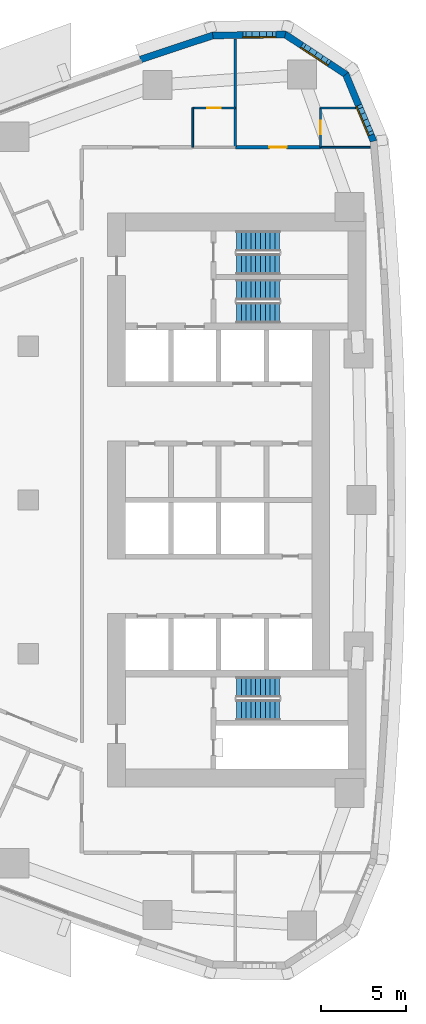
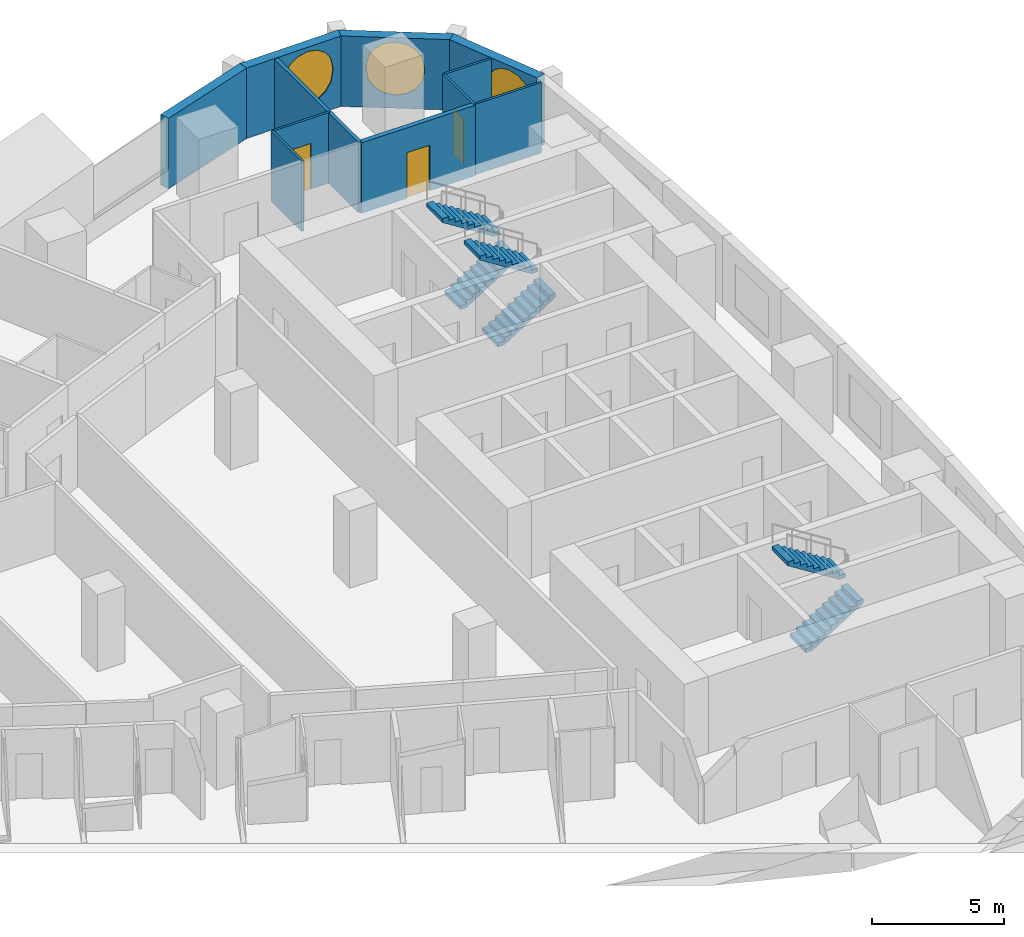
# One storey, part 13 of 17: 11 walls, 6 stair flights, 3 doors, 3 windows, 6 openings, 3 elements without a shape of their own.
"""IFC4 building model written with IfcOpenShell, lengths in metres."""

from ifc_helpers import new_model, si_unit, direction, frame, frame_2d, origin, place, context, subcontext, project, spatial, polyline, rectangle, outline, extrude, material, layer, layer_set, type_object, element, fill, aggregate, save


model = new_model("IFC4")

# Units and contexts
model_context = context("Model", 3, precision=1e-05, world=origin(), true_north=direction((0.0, 1.0)))
body_context = subcontext(model_context, "Body", "Model", "MODEL_VIEW")
ifc_project = project(units=[si_unit("LENGTHUNIT", "METRE"), si_unit("AREAUNIT", "SQUARE_METRE"), si_unit("VOLUMEUNIT", "CUBIC_METRE"), si_unit("PLANEANGLEUNIT", "RADIAN"), si_unit("MASSUNIT", "GRAM", prefix="KILO")], contexts=[model_context])

# Site, building, storey
site_placement = place(None, origin())
site = spatial("IfcSite", under=ifc_project, at=site_placement, CompositionType="ELEMENT")
building_placement = place(site_placement, origin())
building = spatial("IfcBuilding", under=site, at=building_placement, Name="Ostrand Prow Hotel Tower", CompositionType="ELEMENT")
storey_placement = place(building_placement, frame((0.0, 0.0, 106.199951171875)))
storey = spatial("IfcBuildingStorey", under=building, at=storey_placement, Name="L25", CompositionType="ELEMENT", Elevation=106.199951171875)

# Wall
ifc_material_1 = material(Name="Plasterboard partition")
ifc_layer_1 = layer(ifc_material_1, 0.10009765625)
ifc_layer_set_1 = layer_set([ifc_layer_1], Name="Plasterboard partition")
wall_type_1 = type_object("IfcWallType", Name="Partition 100 bathroom wall", PredefinedType="PARTITIONING", material=ifc_layer_set_1)
wall_1_placement = place(storey_placement, frame((54.630615234375, 20.64990234375, 0.0), z_axis=(0.0, 0.0, 1.0), x_axis=(0.0, 1.0, 0.0)))
element("IfcWall", 1, at=wall_1_placement, inside=storey, type_object=wall_type_1, Name="BATHROOM WALL", PredefinedType="PARTITIONING", context=body_context, shape_type="SweptSolid", body=[
    extrude(rectangle(XDim=2.300048828125, YDim=0.10009765625, at=frame_2d((1.14990234375, 0.0))), origin(), (0.0, 0.0, 1.0), 3.25),
])

# Wall, opening, door
wall_2_placement = place(storey_placement, frame((54.630615234375, 22.949951171875, 0.0), z_axis=(0.0, 0.0, 1.0), x_axis=(1.0, 0.0, 0.0)))
wall_2 = element("IfcWall", 2, at=wall_2_placement, inside=storey, type_object=wall_type_1, Name="BATHROOM WALL", PredefinedType="PARTITIONING", context=body_context, shape_type="SweptSolid", body=[
    extrude(rectangle(XDim=2.5, YDim=0.10009765625, at=frame_2d((1.25, 0.0))), origin(), (0.0, 0.0, 1.0), 3.25),
])
opening_1_placement = place(wall_2_placement, frame((0.85009765625, 0.0, 0.0)))
opening_1 = element("IfcOpeningElement", 3, at=opening_1_placement, cuts=wall_2, Name="Opening D2", PredefinedType="OPENING", context=body_context, shape_type="SweptSolid", body=[
    extrude(rectangle(XDim=0.800048828125, YDim=2.10009765625, at=frame_2d((0.39990234375, 1.050048828125))), frame((0.0, 0.06005859375, 0.0), z_axis=(0.0, -1.0, 0.0), x_axis=(1.0, 0.0, 0.0)), (0.0, 0.0, 1.0), 0.1201171875),
])
ifc_material_2 = material(Name="Timber door leaf", Category="wood")
door_type_1 = type_object("IfcDoorType", Name="Bathroom door 800", OperationType="SINGLE_SWING_LEFT", PredefinedType="DOOR", material=ifc_material_2)
door_1_placement = place(opening_1_placement, origin())
door_1 = element("IfcDoor", 4, at=door_1_placement, inside=storey, type_object=door_type_1, Name="DOOR", OperationType="SINGLE_SWING_LEFT", OverallHeight=2.10009765625, OverallWidth=0.800048828125, PredefinedType="DOOR", context=body_context, shape_type="SweptSolid", body=[
    extrude(rectangle(XDim=0.800048828125, YDim=2.10009765625, at=frame_2d((0.39990234375, 1.050048828125))), frame((0.0, 0.02490234375, 0.0), z_axis=(0.0, -1.0, 0.0), x_axis=(1.0, 0.0, 0.0)), (0.0, 0.0, 1.0), 0.050048828125),
])
fill(opening_1, door_1)

wall_3_placement = place(storey_placement, frame((62.111083984375, 20.64990234375, 0.0), z_axis=(0.0, 0.0, 1.0), x_axis=(0.0, 1.0, 0.0)))
wall_3 = element("IfcWall", 5, at=wall_3_placement, inside=storey, type_object=wall_type_1, Name="BATHROOM WALL", PredefinedType="PARTITIONING", context=body_context, shape_type="SweptSolid", body=[
    extrude(rectangle(XDim=2.300048828125, YDim=0.10009765625, at=frame_2d((1.14990234375, 0.0))), origin(), (0.0, 0.0, 1.0), 3.25),
])
opening_2_placement = place(wall_3_placement, frame((0.75, 0.0, 0.0)))
opening_2 = element("IfcOpeningElement", 6, at=opening_2_placement, cuts=wall_3, Name="Opening D2", PredefinedType="OPENING", context=body_context, shape_type="SweptSolid", body=[
    extrude(rectangle(XDim=0.800048828125, YDim=2.10009765625, at=frame_2d((0.39990234375, 1.050048828125))), frame((0.0, 0.06005859375, 0.0), z_axis=(0.0, -1.0, 0.0), x_axis=(1.0, 0.0, 0.0)), (0.0, 0.0, 1.0), 0.1201171875),
])
door_2_placement = place(opening_2_placement, origin())
door_2 = element("IfcDoor", 7, at=door_2_placement, inside=storey, type_object=door_type_1, Name="DOOR", OperationType="SINGLE_SWING_LEFT", OverallHeight=2.10009765625, OverallWidth=0.800048828125, PredefinedType="DOOR", context=body_context, shape_type="SweptSolid", body=[
    extrude(rectangle(XDim=0.800048828125, YDim=2.10009765625, at=frame_2d((0.39990234375, 1.050048828125))), frame((0.0, 0.02490234375, 0.0), z_axis=(0.0, -1.0, 0.0), x_axis=(1.0, 0.0, 0.0)), (0.0, 0.0, 1.0), 0.050048828125),
])
fill(opening_2, door_2)

# Walls
wall_4_placement = place(storey_placement, frame((62.111083984375, 22.949951171875, 0.0), z_axis=(0.0, 0.0, 1.0), x_axis=(1.0, 0.0, 0.0)))
element("IfcWall", 8, at=wall_4_placement, inside=storey, type_object=wall_type_1, Name="BATHROOM WALL", PredefinedType="PARTITIONING", context=body_context, shape_type="SweptSolid", body=[
    extrude(rectangle(XDim=2.04931640625, YDim=0.10009765625, at=frame_2d((1.024658203125, 0.0))), origin(), (0.0, 0.0, 1.0), 3.25),
])
wall_5_placement = place(storey_placement, frame((65.016845703125, 20.655029296875, 0.0), z_axis=(0.0, 0.0, 1.0), x_axis=(-1.0, 0.0, 0.0)))
element("IfcWall", 9, at=wall_5_placement, inside=storey, type_object=wall_type_1, Name="BATHROOM WALL", PredefinedType="PARTITIONING", context=body_context, shape_type="SweptSolid", body=[
    extrude(rectangle(XDim=2.90576171875, YDim=0.10009765625, at=frame_2d((1.452880859375, 0.0))), origin(), (0.0, 0.0, 1.0), 3.25),
])
ifc_material_3 = material(Name="Plasterboard partition")
ifc_layer_2 = layer(ifc_material_3, 0.14990234375)
ifc_layer_set_2 = layer_set([ifc_layer_2], Name="Plasterboard partition")
wall_type_2 = type_object("IfcWallType", Name="Partition 150 room partition", PredefinedType="PARTITIONING", material=ifc_layer_set_2)
wall_6_placement = place(storey_placement, frame((57.130615234375, 20.64990234375, 0.0), z_axis=(0.0, 0.0, 1.0), x_axis=(0.0, 1.0, 0.0)))
element("IfcWall", 10, at=wall_6_placement, inside=storey, type_object=wall_type_2, Name="ROOM PARTITION", PredefinedType="PARTITIONING", context=body_context, shape_type="SweptSolid", body=[
    extrude(rectangle(XDim=6.3291015625, YDim=0.14990234375, at=frame_2d((3.16455078125, 0.0))), origin(), (0.0, 0.0, 1.0), 3.25),
])

# Wall, opening, door
ifc_material_4 = material(Name="Plasterboard partition")
ifc_layer_3 = layer(ifc_material_4, 0.199951171875)
ifc_layer_set_3 = layer_set([ifc_layer_3], Name="Plasterboard partition")
wall_type_3 = type_object("IfcWallType", Name="Partition 200 corridor wall", PredefinedType="PARTITIONING", material=ifc_layer_set_3)
wall_7_placement = place(storey_placement, frame((62.106201171875, 20.655029296875, 0.0), z_axis=(0.0, 0.0, 1.0), x_axis=(-1.0, 0.0, 0.0)))
wall_7 = element("IfcWall", 11, at=wall_7_placement, inside=storey, type_object=wall_type_3, Name="CORRIDOR WALL", PredefinedType="PARTITIONING", context=body_context, shape_type="SweptSolid", body=[
    extrude(rectangle(XDim=4.970703125, YDim=0.199951171875, at=frame_2d((2.4853515625, 0.0))), origin(), (0.0, 0.0, 1.0), 3.25),
])
opening_3_placement = place(wall_7_placement, frame((1.9853515625, 0.0, 0.0)))
opening_3 = element("IfcOpeningElement", 12, at=opening_3_placement, cuts=wall_7, Name="Opening D1R", PredefinedType="OPENING", context=body_context, shape_type="SweptSolid", body=[
    extrude(rectangle(XDim=1.0, YDim=2.10009765625, at=frame_2d((0.5, 1.050048828125))), frame((0.0, 0.10986328125, 0.0), z_axis=(0.0, -1.0, 0.0), x_axis=(1.0, 0.0, 0.0)), (0.0, 0.0, 1.0), 0.219970703125),
])
ifc_material_5 = material(Name="Timber door leaf", Category="wood")
door_type_2 = type_object("IfcDoorType", Name="Guest room door 1000 right", OperationType="SINGLE_SWING_RIGHT", PredefinedType="DOOR", material=ifc_material_5)
door_3_placement = place(opening_3_placement, origin())
door_3 = element("IfcDoor", 13, at=door_3_placement, inside=storey, type_object=door_type_2, Name="DOOR", OperationType="SINGLE_SWING_RIGHT", OverallHeight=2.10009765625, OverallWidth=1.0, PredefinedType="DOOR", context=body_context, shape_type="SweptSolid", body=[
    extrude(rectangle(XDim=1.0, YDim=2.10009765625, at=frame_2d((0.5, 1.050048828125))), frame((0.0, 0.02490234375, 0.0), z_axis=(0.0, -1.0, 0.0), x_axis=(1.0, 0.0, 0.0)), (0.0, 0.0, 1.0), 0.050048828125),
])
fill(opening_3, door_3)

# Wall, opening, window
ifc_material_6 = material(Name="Precast concrete C40/50", Category="concrete")
ifc_layer_4 = layer(ifc_material_6, 0.39990234375)
ifc_layer_set_4 = layer_set([ifc_layer_4], Name="Precast concrete C40/50")
wall_type_4 = type_object("IfcWallType", Name="Stone-faced precast wall 400 mm", PredefinedType="NOTDEFINED", material=ifc_layer_set_4)
wall_8_placement = place(storey_placement, frame((65.21728515625, 21.001708984375, 0.0), z_axis=(0.0, 0.0, 1.0), x_axis=(-0.383997751971, 0.923334027577, 0.0)))
wall_8 = element("IfcWall", 14, at=wall_8_placement, inside=storey, type_object=wall_type_4, Name="Stone-faced wall back 15", PredefinedType="NOTDEFINED", context=body_context, shape_type="SweptSolid", body=[
    extrude(outline(polyline([(-0.031005859375, -0.199951171875), (4.300048828125, -0.199951171875), (4.177490234375, 0.199951171875), (0.031005859375, 0.199951171875), (-0.031005859375, -0.199951171875)])), origin(), (0.0, 0.0, 1.0), 3.25),
])
opening_4_placement = place(wall_8_placement, frame((0.28662109375, 0.0, 0.60009765625)))
opening_4 = element("IfcOpeningElement", 15, at=opening_4_placement, cuts=wall_8, Name="Opening WP2-21", PredefinedType="OPENING", context=body_context, shape_type="SweptSolid", body=[
    extrude(outline(polyline([(0.0, 1.39990234375), (0.079833984375, 1.8017578125), (0.3076171875, 2.142333984375), (0.648193359375, 2.3701171875), (1.050048828125, 2.449951171875), (1.451904296875, 2.3701171875), (1.79248046875, 2.142333984375), (2.020263671875, 1.8017578125), (2.10009765625, 1.39990234375), (2.10009765625, 1.050048828125), (2.020263671875, 0.648193359375), (1.79248046875, 0.3076171875), (1.451904296875, 0.079833984375), (1.050048828125, 0.0), (0.648193359375, 0.079833984375), (0.3076171875, 0.3076171875), (0.079833984375, 0.648193359375), (0.0, 1.050048828125), (0.0, 1.39990234375)])), frame((0.0, 0.2099609375, 0.0), z_axis=(0.0, -1.0, 0.0), x_axis=(1.0, 0.0, 0.0)), (0.0, 0.0, 1.0), 0.419921875),
])
ifc_material_7 = material(Name="Insulated glass in bronze frame", Category="glass")
window_type_1 = type_object("IfcWindowType", Name="Round-ended prow lounge window 2100x2450", PartitioningType="SINGLE_PANEL", PredefinedType="WINDOW", material=ifc_material_7)
window_1_placement = place(opening_4_placement, origin())
window_1 = element("IfcWindow", 16, at=window_1_placement, inside=storey, type_object=window_type_1, Name="Window back 15.1", OverallHeight=2.449951171875, OverallWidth=2.10009765625, PartitioningType="SINGLE_PANEL", PredefinedType="WINDOW", context=body_context, shape_type="SweptSolid", body=[
    extrude(outline(polyline([(0.0, 1.39990234375), (0.079833984375, 1.8017578125), (0.3076171875, 2.142333984375), (0.648193359375, 2.3701171875), (1.050048828125, 2.449951171875), (1.451904296875, 2.3701171875), (1.79248046875, 2.142333984375), (2.020263671875, 1.8017578125), (2.10009765625, 1.39990234375), (2.10009765625, 1.050048828125), (2.020263671875, 0.648193359375), (1.79248046875, 0.3076171875), (1.451904296875, 0.079833984375), (1.050048828125, 0.0), (0.648193359375, 0.079833984375), (0.3076171875, 0.3076171875), (0.079833984375, 0.648193359375), (0.0, 1.050048828125), (0.0, 1.39990234375)])), frame((0.0, 0.169921875, 0.0), z_axis=(0.0, -1.0, 0.0), x_axis=(1.0, 0.0, 0.0)), (0.0, 0.0, 1.0), 0.06005859375),
])
fill(opening_4, window_1)

wall_9_placement = place(storey_placement, frame((63.589599609375, 24.91552734375, 0.0), z_axis=(0.0, 0.0, 1.0), x_axis=(-0.835340523653, 0.549732852887, 0.0)))
wall_9 = element("IfcWall", 17, at=wall_9_placement, inside=storey, type_object=wall_type_4, Name="Stone-faced wall back 16", PredefinedType="NOTDEFINED", context=body_context, shape_type="SweptSolid", body=[
    extrude(outline(polyline([(-0.061279296875, -0.199951171875), (4.30029296875, -0.199951171875), (4.177734375, 0.199951171875), (0.061279296875, 0.199951171875), (-0.061279296875, -0.199951171875)])), origin(), (0.0, 0.0, 1.0), 3.25),
])
opening_5_placement = place(wall_9_placement, frame((1.01953125, 0.0, 0.60009765625)))
opening_5 = element("IfcOpeningElement", 18, at=opening_5_placement, cuts=wall_9, Name="Opening WP2", PredefinedType="OPENING", context=body_context, shape_type="SweptSolid", body=[
    extrude(outline(polyline([(0.0, 1.35009765625), (0.083740234375, 1.77099609375), (0.322265625, 2.127685546875), (0.678955078125, 2.3662109375), (1.10009765625, 2.449951171875), (1.52099609375, 2.3662109375), (1.877685546875, 2.127685546875), (2.1162109375, 1.77099609375), (2.199951171875, 1.35009765625), (2.199951171875, 1.10009765625), (2.1162109375, 0.678955078125), (1.877685546875, 0.322265625), (1.52099609375, 0.083740234375), (1.10009765625, 0.0), (0.678955078125, 0.083740234375), (0.322265625, 0.322265625), (0.083740234375, 0.678955078125), (0.0, 1.099853515625), (0.0, 1.35009765625)])), frame((0.0, 0.2099609375, 0.0), z_axis=(0.0, -1.0, 0.0), x_axis=(1.0, 0.0, 0.0)), (0.0, 0.0, 1.0), 0.419921875),
])
ifc_material_8 = material(Name="Insulated glass in bronze frame", Category="glass")
window_type_2 = type_object("IfcWindowType", Name="Round-ended prow lounge window 2200x2450", PartitioningType="SINGLE_PANEL", PredefinedType="WINDOW", material=ifc_material_8)
window_2_placement = place(opening_5_placement, origin())
window_2 = element("IfcWindow", 19, at=window_2_placement, inside=storey, type_object=window_type_2, Name="Window back 16.1", OverallHeight=2.449951171875, OverallWidth=2.199951171875, PartitioningType="SINGLE_PANEL", PredefinedType="WINDOW", context=body_context, shape_type="SweptSolid", body=[
    extrude(outline(polyline([(0.0, 1.35009765625), (0.083740234375, 1.77099609375), (0.322265625, 2.127685546875), (0.678955078125, 2.3662109375), (1.10009765625, 2.449951171875), (1.52099609375, 2.3662109375), (1.877685546875, 2.127685546875), (2.1162109375, 1.77099609375), (2.199951171875, 1.35009765625), (2.199951171875, 1.10009765625), (2.1162109375, 0.678955078125), (1.877685546875, 0.322265625), (1.52099609375, 0.083740234375), (1.10009765625, 0.0), (0.678955078125, 0.083740234375), (0.322265625, 0.322265625), (0.083740234375, 0.678955078125), (0.0, 1.099853515625), (0.0, 1.35009765625)])), frame((0.0, 0.169921875, 0.0), z_axis=(0.0, -1.0, 0.0), x_axis=(1.0, 0.0, 0.0)), (0.0, 0.0, 1.0), 0.06005859375),
])
fill(opening_5, window_2)

wall_10_placement = place(storey_placement, frame((60.048583984375, 27.245849609375, 0.0), z_axis=(0.0, 0.0, 1.0), x_axis=(-0.999919718849, -0.012671063772, 0.0)))
wall_10 = element("IfcWall", 20, at=wall_10_placement, inside=storey, type_object=wall_type_4, Name="Stone-faced wall back 17", PredefinedType="NOTDEFINED", context=body_context, shape_type="SweptSolid", body=[
    extrude(outline(polyline([(-0.061279296875, -0.199951171875), (4.269775390625, -0.199951171875), (4.207763671875, 0.199951171875), (0.061279296875, 0.199951171875), (-0.061279296875, -0.199951171875)])), origin(), (0.0, 0.0, 1.0), 3.25),
])
opening_6_placement = place(wall_10_placement, frame((0.418212890625, 0.0, 0.60009765625)))
opening_6 = element("IfcOpeningElement", 21, at=opening_6_placement, cuts=wall_10, Name="Opening WP2", PredefinedType="OPENING", context=body_context, shape_type="SweptSolid", body=[
    extrude(outline(polyline([(0.0, 1.35009765625), (0.083740234375, 1.77099609375), (0.322265625, 2.127685546875), (0.678955078125, 2.3662109375), (1.10009765625, 2.449951171875), (1.52099609375, 2.3662109375), (1.877685546875, 2.127685546875), (2.1162109375, 1.77099609375), (2.199951171875, 1.35009765625), (2.199951171875, 1.10009765625), (2.1162109375, 0.678955078125), (1.877685546875, 0.322265625), (1.52099609375, 0.083740234375), (1.10009765625, 0.0), (0.678955078125, 0.083740234375), (0.322265625, 0.322265625), (0.083740234375, 0.678955078125), (0.0, 1.099853515625), (0.0, 1.35009765625)])), frame((0.0, 0.2099609375, 0.0), z_axis=(0.0, -1.0, 0.0), x_axis=(1.0, 0.0, 0.0)), (0.0, 0.0, 1.0), 0.419921875),
])
window_3_placement = place(opening_6_placement, origin())
window_3 = element("IfcWindow", 22, at=window_3_placement, inside=storey, type_object=window_type_2, Name="Window back 17.1", OverallHeight=2.449951171875, OverallWidth=2.199951171875, PartitioningType="SINGLE_PANEL", PredefinedType="WINDOW", context=body_context, shape_type="SweptSolid", body=[
    extrude(outline(polyline([(0.0, 1.35009765625), (0.083740234375, 1.77099609375), (0.322265625, 2.127685546875), (0.678955078125, 2.3662109375), (1.10009765625, 2.449951171875), (1.52099609375, 2.3662109375), (1.877685546875, 2.127685546875), (2.1162109375, 1.77099609375), (2.199951171875, 1.35009765625), (2.199951171875, 1.10009765625), (2.1162109375, 0.678955078125), (1.877685546875, 0.322265625), (1.52099609375, 0.083740234375), (1.10009765625, 0.0), (0.678955078125, 0.083740234375), (0.322265625, 0.322265625), (0.083740234375, 0.678955078125), (0.0, 1.099853515625), (0.0, 1.35009765625)])), frame((0.0, 0.169921875, 0.0), z_axis=(0.0, -1.0, 0.0), x_axis=(1.0, 0.0, 0.0)), (0.0, 0.0, 1.0), 0.06005859375),
])
fill(opening_6, window_3)

# Wall
wall_11_placement = place(storey_placement, frame((55.81005859375, 27.192138671875, 0.0), z_axis=(0.0, 0.0, 1.0), x_axis=(-0.94925004851, -0.314522408429, 0.0)))
element("IfcWall", 23, at=wall_11_placement, inside=storey, type_object=wall_type_4, Name="Stone-faced wall back 18", PredefinedType="NOTDEFINED", context=body_context, shape_type="SweptSolid", body=[
    extrude(outline(polyline([(-0.031005859375, -0.199951171875), (4.468017578125, -0.199951171875), (4.468017578125, 0.199951171875), (0.031005859375, 0.199951171875), (-0.031005859375, -0.199951171875)])), origin(), (0.0, 0.0, 1.0), 3.25),
])

# Stair, stair flights
ifc_material_9 = material(Name="Concrete C40/50", Category="concrete")
stair_type = type_object("IfcStairType", Name="Exit stair 1200 upper zone", PredefinedType="HALF_TURN_STAIR", material=ifc_material_9)
stair_1_placement = place(storey_placement, origin())
stair_1 = element("IfcStair", 24, at=stair_1_placement, inside=storey, type_object=stair_type, Name="L25 ST1C", PredefinedType="HALF_TURN_STAIR")
ifc_material_10 = material(Name="Concrete C40/50", Category="concrete")
stair_flight_type = type_object("IfcStairFlightType", Name="Stair flight 1200 concrete", PredefinedType="STRAIGHT", material=ifc_material_10)
stair_flight_1_placement = place(storey_placement, frame((57.199951171875, 10.949951171875, 0.0), z_axis=(0.0, 0.0, 1.0), x_axis=(1.0, 0.0, 0.0)))
stair_flight_1 = element("IfcStairFlight", 25, at=stair_flight_1_placement, type_object=stair_flight_type, Name="ST1C flight 1", NumberOfRisers=10, NumberOfTreads=9, PredefinedType="STRAIGHT", RiserHeight=0.1775, TreadLength=0.28, context=body_context, shape_type="SweptSolid", body=[
    extrude(outline(polyline([(0.0, 0.0), (0.0, 0.177490234375), (0.280029296875, 0.177490234375), (0.280029296875, 0.35498046875), (0.56005859375, 0.35498046875), (0.56005859375, 0.532470703125), (0.840087890625, 0.532470703125), (0.840087890625, 0.7099609375), (1.1201171875, 0.7099609375), (1.1201171875, 0.887451171875), (1.39990234375, 0.887451171875), (1.39990234375, 1.06494140625), (1.679931640625, 1.06494140625), (1.679931640625, 1.242431640625), (1.9599609375, 1.242431640625), (1.9599609375, 1.419921875), (2.239990234375, 1.419921875), (2.239990234375, 1.597412109375), (2.52001953125, 1.597412109375), (2.52001953125, 1.77490234375), (2.52001953125, 1.419921875), (0.280029296875, 0.0), (0.0, 0.0)])), frame((0.0, 0.60009765625, 0.0), z_axis=(0.0, -1.0, 0.0), x_axis=(1.0, 0.0, 0.0)), (0.0, 0.0, 1.0), 1.199951171875),
])
stair_flight_2_placement = place(storey_placement, frame((59.719970703125, 12.300048828125, 1.775146484375), z_axis=(0.0, 0.0, 1.0), x_axis=(-1.0, 0.0, 0.0)))
stair_flight_2 = element("IfcStairFlight", 26, at=stair_flight_2_placement, type_object=stair_flight_type, Name="ST1C flight 2", NumberOfRisers=10, NumberOfTreads=9, PredefinedType="STRAIGHT", RiserHeight=0.1775, TreadLength=0.28, context=body_context, shape_type="SweptSolid", body=[
    extrude(outline(polyline([(0.0, 0.0), (0.0, 0.177490234375), (0.280029296875, 0.177490234375), (0.280029296875, 0.35498046875), (0.56005859375, 0.35498046875), (0.56005859375, 0.532470703125), (0.840087890625, 0.532470703125), (0.840087890625, 0.7099609375), (1.1201171875, 0.7099609375), (1.1201171875, 0.887451171875), (1.39990234375, 0.887451171875), (1.39990234375, 1.06494140625), (1.679931640625, 1.06494140625), (1.679931640625, 1.242431640625), (1.9599609375, 1.242431640625), (1.9599609375, 1.419921875), (2.239990234375, 1.419921875), (2.239990234375, 1.597412109375), (2.52001953125, 1.597412109375), (2.52001953125, 1.77490234375), (2.52001953125, 1.419921875), (0.280029296875, 0.0), (0.0, 0.0)])), frame((0.0, 0.60009765625, 0.0), z_axis=(0.0, -1.0, 0.0), x_axis=(1.0, 0.0, 0.0)), (0.0, 0.0, 1.0), 1.199951171875),
])
aggregate(stair_1, [stair_flight_1, stair_flight_2])

stair_2_placement = place(storey_placement, origin())
stair_2 = element("IfcStair", 27, at=stair_2_placement, inside=storey, type_object=stair_type, Name="L25 ST3C", PredefinedType="HALF_TURN_STAIR")
stair_flight_3_placement = place(storey_placement, frame((57.199951171875, 13.800048828125, 0.0), z_axis=(0.0, 0.0, 1.0), x_axis=(1.0, 0.0, 0.0)))
stair_flight_3 = element("IfcStairFlight", 28, at=stair_flight_3_placement, type_object=stair_flight_type, Name="ST3C flight 1", NumberOfRisers=10, NumberOfTreads=9, PredefinedType="STRAIGHT", RiserHeight=0.1775, TreadLength=0.28, context=body_context, shape_type="SweptSolid", body=[
    extrude(outline(polyline([(0.0, 0.0), (0.0, 0.177490234375), (0.280029296875, 0.177490234375), (0.280029296875, 0.35498046875), (0.56005859375, 0.35498046875), (0.56005859375, 0.532470703125), (0.840087890625, 0.532470703125), (0.840087890625, 0.7099609375), (1.1201171875, 0.7099609375), (1.1201171875, 0.887451171875), (1.39990234375, 0.887451171875), (1.39990234375, 1.06494140625), (1.679931640625, 1.06494140625), (1.679931640625, 1.242431640625), (1.9599609375, 1.242431640625), (1.9599609375, 1.419921875), (2.239990234375, 1.419921875), (2.239990234375, 1.597412109375), (2.52001953125, 1.597412109375), (2.52001953125, 1.77490234375), (2.52001953125, 1.419921875), (0.280029296875, 0.0), (0.0, 0.0)])), frame((0.0, 0.60009765625, 0.0), z_axis=(0.0, -1.0, 0.0), x_axis=(1.0, 0.0, 0.0)), (0.0, 0.0, 1.0), 1.199951171875),
])
stair_flight_4_placement = place(storey_placement, frame((59.719970703125, 15.14990234375, 1.775146484375), z_axis=(0.0, 0.0, 1.0), x_axis=(-1.0, 0.0, 0.0)))
stair_flight_4 = element("IfcStairFlight", 29, at=stair_flight_4_placement, type_object=stair_flight_type, Name="ST3C flight 2", NumberOfRisers=10, NumberOfTreads=9, PredefinedType="STRAIGHT", RiserHeight=0.1775, TreadLength=0.28, context=body_context, shape_type="SweptSolid", body=[
    extrude(outline(polyline([(0.0, 0.0), (0.0, 0.177490234375), (0.280029296875, 0.177490234375), (0.280029296875, 0.35498046875), (0.56005859375, 0.35498046875), (0.56005859375, 0.532470703125), (0.840087890625, 0.532470703125), (0.840087890625, 0.7099609375), (1.1201171875, 0.7099609375), (1.1201171875, 0.887451171875), (1.39990234375, 0.887451171875), (1.39990234375, 1.06494140625), (1.679931640625, 1.06494140625), (1.679931640625, 1.242431640625), (1.9599609375, 1.242431640625), (1.9599609375, 1.419921875), (2.239990234375, 1.419921875), (2.239990234375, 1.597412109375), (2.52001953125, 1.597412109375), (2.52001953125, 1.77490234375), (2.52001953125, 1.419921875), (0.280029296875, 0.0), (0.0, 0.0)])), frame((0.0, 0.60009765625, 0.0), z_axis=(0.0, -1.0, 0.0), x_axis=(1.0, 0.0, 0.0)), (0.0, 0.0, 1.0), 1.199951171875),
])
aggregate(stair_2, [stair_flight_3, stair_flight_4])

stair_3_placement = place(storey_placement, origin())
stair_3 = element("IfcStair", 30, at=stair_3_placement, inside=storey, type_object=stair_type, Name="L25 ST2C", PredefinedType="HALF_TURN_STAIR")
stair_flight_5_placement = place(storey_placement, frame((57.199951171875, -12.300048828125, 0.0), z_axis=(0.0, 0.0, 1.0), x_axis=(1.0, 0.0, 0.0)))
stair_flight_5 = element("IfcStairFlight", 31, at=stair_flight_5_placement, type_object=stair_flight_type, Name="ST2C flight 1", NumberOfRisers=10, NumberOfTreads=9, PredefinedType="STRAIGHT", RiserHeight=0.1775, TreadLength=0.28, context=body_context, shape_type="SweptSolid", body=[
    extrude(outline(polyline([(0.0, 0.0), (0.0, 0.177490234375), (0.280029296875, 0.177490234375), (0.280029296875, 0.35498046875), (0.56005859375, 0.35498046875), (0.56005859375, 0.532470703125), (0.840087890625, 0.532470703125), (0.840087890625, 0.7099609375), (1.1201171875, 0.7099609375), (1.1201171875, 0.887451171875), (1.39990234375, 0.887451171875), (1.39990234375, 1.06494140625), (1.679931640625, 1.06494140625), (1.679931640625, 1.242431640625), (1.9599609375, 1.242431640625), (1.9599609375, 1.419921875), (2.239990234375, 1.419921875), (2.239990234375, 1.597412109375), (2.52001953125, 1.597412109375), (2.52001953125, 1.77490234375), (2.52001953125, 1.419921875), (0.280029296875, 0.0), (0.0, 0.0)])), frame((0.0, 0.60009765625, 0.0), z_axis=(0.0, -1.0, 0.0), x_axis=(1.0, 0.0, 0.0)), (0.0, 0.0, 1.0), 1.199951171875),
])
stair_flight_6_placement = place(storey_placement, frame((59.719970703125, -10.949951171875, 1.775146484375), z_axis=(0.0, 0.0, 1.0), x_axis=(-1.0, 0.0, 0.0)))
stair_flight_6 = element("IfcStairFlight", 32, at=stair_flight_6_placement, type_object=stair_flight_type, Name="ST2C flight 2", NumberOfRisers=10, NumberOfTreads=9, PredefinedType="STRAIGHT", RiserHeight=0.1775, TreadLength=0.28, context=body_context, shape_type="SweptSolid", body=[
    extrude(outline(polyline([(0.0, 0.0), (0.0, 0.177490234375), (0.280029296875, 0.177490234375), (0.280029296875, 0.35498046875), (0.56005859375, 0.35498046875), (0.56005859375, 0.532470703125), (0.840087890625, 0.532470703125), (0.840087890625, 0.7099609375), (1.1201171875, 0.7099609375), (1.1201171875, 0.887451171875), (1.39990234375, 0.887451171875), (1.39990234375, 1.06494140625), (1.679931640625, 1.06494140625), (1.679931640625, 1.242431640625), (1.9599609375, 1.242431640625), (1.9599609375, 1.419921875), (2.239990234375, 1.419921875), (2.239990234375, 1.597412109375), (2.52001953125, 1.597412109375), (2.52001953125, 1.77490234375), (2.52001953125, 1.419921875), (0.280029296875, 0.0), (0.0, 0.0)])), frame((0.0, 0.60009765625, 0.0), z_axis=(0.0, -1.0, 0.0), x_axis=(1.0, 0.0, 0.0)), (0.0, 0.0, 1.0), 1.199951171875),
])
aggregate(stair_3, [stair_flight_5, stair_flight_6])

save(model, "model.ifc")
